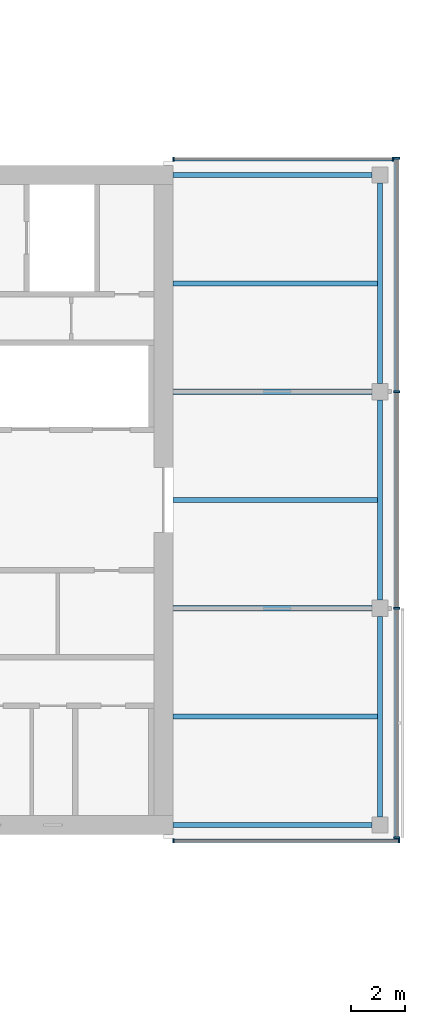
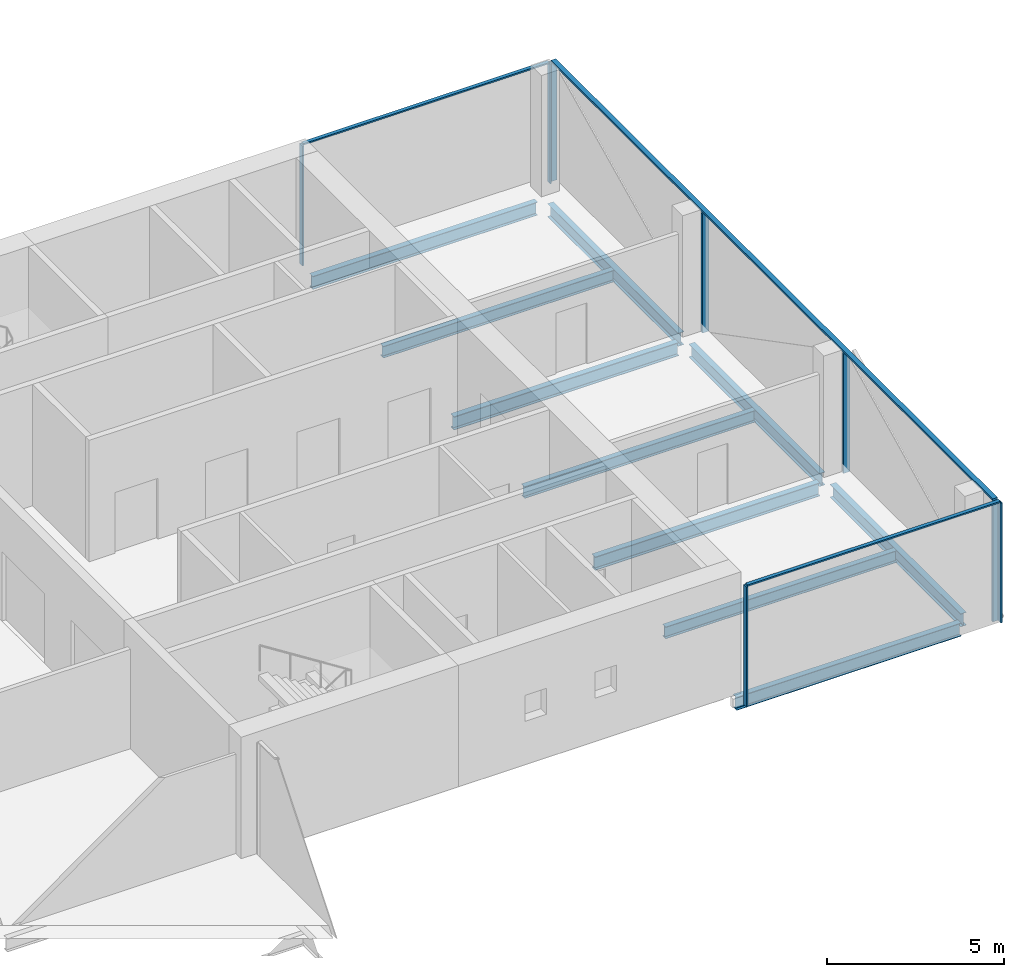
# One storey, part 11 of 22: 11 members, 10 beams, 3 elements without a shape of their own.
"""IFC4 building model written with IfcOpenShell, lengths in metres."""

from ifc_helpers import new_model, si_unit, direction, frame, origin, origin_2d, place, context, subcontext, project, spatial, rectangle, i_section, extrude, material, material_profile, profile_set, type_object, element, aggregate, save


model = new_model("IFC4")

# Units and contexts
model_context = context("Model", 3, precision=1e-05, world=origin(), true_north=direction((0.0, 1.0)))
body_context = subcontext(model_context, "Body", "Model", "MODEL_VIEW")
ifc_project = project(units=[si_unit("LENGTHUNIT", "METRE"), si_unit("AREAUNIT", "SQUARE_METRE"), si_unit("VOLUMEUNIT", "CUBIC_METRE"), si_unit("PLANEANGLEUNIT", "RADIAN"), si_unit("MASSUNIT", "GRAM", prefix="KILO")], contexts=[model_context])

# Site, building, storey
site_placement = place(None, origin())
site = spatial("IfcSite", under=ifc_project, at=site_placement, CompositionType="ELEMENT")
building_placement = place(site_placement, origin())
building = spatial("IfcBuilding", under=site, at=building_placement, Name="Crosswind Convention Tower", CompositionType="ELEMENT")
storey_placement = place(building_placement, frame((0.0, 0.0, 129.5)))
storey = spatial("IfcBuildingStorey", under=building, at=storey_placement, Name="L26", CompositionType="ELEMENT", Elevation=129.5)

# Beams
ifc_material_1 = material(Name="Steel S355", Category="steel")
ifc_material_profile_1 = material_profile(ifc_material_1, i_section(OverallWidth=0.18994140625, OverallDepth=0.45361328125, WebThickness=0.008544921875, FlangeThickness=0.0126953125, FilletRadius=0.01025390625, at=origin_2d()), Name="UB 457x191x67")
ifc_profile_set_1 = profile_set([ifc_material_profile_1], Name="Steel S355")
beam_type_1 = type_object("IfcBeamType", Name="Edge beam UB 457x191x67", PredefinedType="SPANDREL", material=ifc_profile_set_1)
for number, where, z_axis, x_axis, name in (
    (1, (153.35009765625, 88.0, -0.52685546875), (1.0, 0.0, 0.0), (0.0, 1.0, 0.0), "B16 L26 edge beam 20"),
    (2, (153.35009765625, 112.0, -0.52685546875), (1.0, 0.0, 0.0), (0.0, 1.0, 0.0), "B16 L26 edge beam 21"),
):
    element("IfcBeam", number, at=place(storey_placement, frame(where, z_axis=z_axis, x_axis=x_axis)), inside=storey, type_object=beam_type_1, Name=name, PredefinedType="SPANDREL", context=body_context, shape_type="SweptSolid", body=[
        extrude(i_section(OverallWidth=0.18994140625, OverallDepth=0.45361328125, WebThickness=0.008544921875, FlangeThickness=0.0126953125, FilletRadius=0.01025390625, at=origin_2d()), origin(), (0.0, 0.0, 1.0), 7.349853515625),
    ])
for number, where, z_axis, x_axis, name in (
    (3, (161.0, 88.300048828125, -0.52685546875), (0.0, 1.0, 0.0), (-1.0, 0.0, 0.0), "B16 L26 edge beam 22"),
    (4, (161.0, 96.300048828125, -0.52685546875), (0.0, 1.0, 0.0), (-1.0, 0.0, 0.0), "B16 L26 edge beam 23"),
    (5, (161.0, 104.300048828125, -0.52685546875), (0.0, 1.0, 0.0), (-1.0, 0.0, 0.0), "B16 L26 edge beam 24"),
):
    element("IfcBeam", number, at=place(storey_placement, frame(where, z_axis=z_axis, x_axis=x_axis)), inside=storey, type_object=beam_type_1, Name=name, PredefinedType="SPANDREL", context=body_context, shape_type="SweptSolid", body=[
        extrude(i_section(OverallWidth=0.18994140625, OverallDepth=0.45361328125, WebThickness=0.008544921875, FlangeThickness=0.0126953125, FilletRadius=0.01025390625, at=origin_2d()), origin(), (0.0, 0.0, 1.0), 7.39990234375),
    ])
ifc_material_profile_2 = material_profile(ifc_material_1, i_section(OverallWidth=0.19189453125, OverallDepth=0.463623046875, WebThickness=0.010498046875, FlangeThickness=0.017578125, FilletRadius=0.01025390625, at=origin_2d()), Name="UB 457x191x90")
ifc_profile_set_2 = profile_set([ifc_material_profile_2], Name="Steel S355")
beam_type_2 = type_object("IfcBeamType", Name="Girder at core wall UB 457x191x90", PredefinedType="BEAM", material=ifc_profile_set_2)
for number, where, z_axis, x_axis, name in (
    (6, (153.35009765625, 96.0, -0.53173828125), (1.0, 0.0, 0.0), (0.0, 1.0, 0.0), "B24 L26 girder at core wall 11"),
    (7, (153.35009765625, 104.0, -0.53173828125), (1.0, 0.0, 0.0), (0.0, 1.0, 0.0), "B24 L26 girder at core wall 12"),
):
    element("IfcBeam", number, at=place(storey_placement, frame(where, z_axis=z_axis, x_axis=x_axis)), inside=storey, type_object=beam_type_2, Name=name, PredefinedType="BEAM", context=body_context, shape_type="SweptSolid", body=[
        extrude(i_section(OverallWidth=0.19189453125, OverallDepth=0.463623046875, WebThickness=0.010498046875, FlangeThickness=0.017578125, FilletRadius=0.01025390625, at=origin_2d()), origin(), (0.0, 0.0, 1.0), 7.349853515625),
    ])

# Curtain wall, members
ifc_material_2 = material(Name="Aluminium unitised curtain wall", Category="aluminium")
curtain_wall_type_1 = type_object("IfcCurtainWallType", Name="CORE END SLOT WALL 160", PredefinedType="USERDEFINED", material=ifc_material_2)
curtain_wall_1_placement = place(storey_placement, origin())
curtain_wall_1 = element("IfcCurtainWall", 8, at=curtain_wall_1_placement, inside=storey, type_object=curtain_wall_type_1, Name="CW6 L26 E-N.1-1 slot", ObjectType="UNITISED", PredefinedType="USERDEFINED")
ifc_material_3 = material(Name="Aluminium mullion", Category="aluminium")
ifc_material_profile_3 = material_profile(ifc_material_3, rectangle(XDim=0.159912109375, YDim=0.050048828125, at=origin_2d()), Name="AL 160X50")
ifc_profile_set_3 = profile_set([ifc_material_profile_3], Name="Aluminium mullion")
member_type_1 = type_object("IfcMemberType", Name="MULLION 50X160", PredefinedType="MULLION", material=ifc_profile_set_3)
member_1_placement = place(storey_placement, frame((161.47509765625, 112.580078125, -0.300048828125), z_axis=(0.0, 0.0, 1.0), x_axis=(0.0, 1.0, 0.0)))
member_1 = element("IfcMember", 9, at=member_1_placement, type_object=member_type_1, Name="CW6 mullion 1", PredefinedType="MULLION", context=body_context, shape_type="SweptSolid", body=[
    extrude(rectangle(XDim=0.159912109375, YDim=0.050048828125, at=origin_2d()), origin(), (0.0, 0.0, 1.0), 4.150146484375),
])
member_2_placement = place(storey_placement, frame((153.375, 112.580078125, -0.300048828125), z_axis=(0.0, 0.0, 1.0), x_axis=(0.0, 1.0, 0.0)))
member_2 = element("IfcMember", 10, at=member_2_placement, type_object=member_type_1, Name="CW6 mullion 2", PredefinedType="MULLION", context=body_context, shape_type="SweptSolid", body=[
    extrude(rectangle(XDim=0.159912109375, YDim=0.050048828125, at=origin_2d()), origin(), (0.0, 0.0, 1.0), 4.150146484375),
])

curtain_wall_2_placement = place(storey_placement, origin())
curtain_wall_2 = element("IfcCurtainWall", 11, at=curtain_wall_2_placement, inside=storey, type_object=curtain_wall_type_1, Name="CW6 L26 E-S.2-1 slot", ObjectType="UNITISED", PredefinedType="USERDEFINED")
member_3_placement = place(storey_placement, frame((153.375, 87.419921875, -0.300048828125), z_axis=(0.0, 0.0, 1.0), x_axis=(0.0, -1.0, 0.0)))
member_3 = element("IfcMember", 12, at=member_3_placement, type_object=member_type_1, Name="CW6 mullion 1", PredefinedType="MULLION", context=body_context, shape_type="SweptSolid", body=[
    extrude(rectangle(XDim=0.159912109375, YDim=0.050048828125, at=origin_2d()), origin(), (0.0, 0.0, 1.0), 4.150146484375),
])
member_4_placement = place(storey_placement, frame((161.695068359375, 87.419921875, -0.300048828125), z_axis=(0.0, 0.0, 1.0), x_axis=(0.0, -1.0, 0.0)))
member_4 = element("IfcMember", 13, at=member_4_placement, type_object=member_type_1, Name="CW6 mullion 2", PredefinedType="MULLION", context=body_context, shape_type="SweptSolid", body=[
    extrude(rectangle(XDim=0.159912109375, YDim=0.050048828125, at=origin_2d()), origin(), (0.0, 0.0, 1.0), 4.150146484375),
])

curtain_wall_type_2 = type_object("IfcCurtainWallType", Name="OFFICE UNITISED WALL 220", PredefinedType="USERDEFINED", material=ifc_material_2)
curtain_wall_3_placement = place(storey_placement, origin())
curtain_wall_3 = element("IfcCurtainWall", 14, at=curtain_wall_3_placement, inside=storey, type_object=curtain_wall_type_2, Name="CW3 L26 E-TIP 1", ObjectType="UNITISED", PredefinedType="USERDEFINED")
ifc_material_profile_4 = material_profile(ifc_material_3, rectangle(XDim=0.219970703125, YDim=0.070068359375, at=origin_2d()), Name="AL 220X70")
ifc_profile_set_4 = profile_set([ifc_material_profile_4], Name="Aluminium mullion")
member_type_2 = type_object("IfcMemberType", Name="MULLION 70X220", PredefinedType="MULLION", material=ifc_profile_set_4)
member_5_placement = place(storey_placement, frame((161.610107421875, 87.534912109375, -0.300048828125), z_axis=(0.0, 0.0, 1.0), x_axis=(1.0, 0.0, 0.0)))
member_5 = element("IfcMember", 15, at=member_5_placement, type_object=member_type_2, Name="CW3 mullion 1", PredefinedType="MULLION", context=body_context, shape_type="SweptSolid", body=[
    extrude(rectangle(XDim=0.219970703125, YDim=0.070068359375, at=origin_2d()), origin(), (0.0, 0.0, 1.0), 4.130126953125),
])
member_6_placement = place(storey_placement, frame((161.610107421875, 96.0, -0.300048828125), z_axis=(0.0, 0.0, 1.0), x_axis=(1.0, 0.0, 0.0)))
member_6 = element("IfcMember", 16, at=member_6_placement, type_object=member_type_2, Name="CW3 mullion 2", PredefinedType="MULLION", context=body_context, shape_type="SweptSolid", body=[
    extrude(rectangle(XDim=0.219970703125, YDim=0.070068359375, at=origin_2d()), origin(), (0.0, 0.0, 1.0), 4.130126953125),
])
member_7_placement = place(storey_placement, frame((161.610107421875, 104.0, -0.300048828125), z_axis=(0.0, 0.0, 1.0), x_axis=(1.0, 0.0, 0.0)))
member_7 = element("IfcMember", 17, at=member_7_placement, type_object=member_type_2, Name="CW3 mullion 3", PredefinedType="MULLION", context=body_context, shape_type="SweptSolid", body=[
    extrude(rectangle(XDim=0.219970703125, YDim=0.070068359375, at=origin_2d()), origin(), (0.0, 0.0, 1.0), 4.130126953125),
])
member_8_placement = place(storey_placement, frame((161.610107421875, 112.625, -0.300048828125), z_axis=(0.0, 0.0, 1.0), x_axis=(1.0, 0.0, 0.0)))
member_8 = element("IfcMember", 18, at=member_8_placement, type_object=member_type_2, Name="CW3 mullion 4", PredefinedType="MULLION", context=body_context, shape_type="SweptSolid", body=[
    extrude(rectangle(XDim=0.219970703125, YDim=0.070068359375, at=origin_2d()), origin(), (0.0, 0.0, 1.0), 4.130126953125),
])

# Beams
ifc_material_profile_5 = material_profile(ifc_material_1, i_section(OverallWidth=0.177734375, OverallDepth=0.406494140625, WebThickness=0.0078125, FlangeThickness=0.0126953125, FilletRadius=0.01025390625, at=origin_2d()), Name="UB 406x178x60")
ifc_profile_set_5 = profile_set([ifc_material_profile_5], Name="Steel S355")
beam_type_3 = type_object("IfcBeamType", Name="Secondary beam UB 406x178x60", PredefinedType="JOIST", material=ifc_profile_set_5)
for number, where, z_axis, x_axis, name in (
    (19, (153.35009765625, 92.0, -0.503173828125), (1.0, 0.0, 0.0), (0.0, 1.0, 0.0), "B10 L26 secondary beam 25"),
    (20, (153.35009765625, 100.0, -0.503173828125), (1.0, 0.0, 0.0), (0.0, 1.0, 0.0), "B10 L26 secondary beam 26"),
    (21, (153.35009765625, 108.0, -0.503173828125), (1.0, 0.0, 0.0), (0.0, 1.0, 0.0), "B10 L26 secondary beam 27"),
):
    element("IfcBeam", number, at=place(storey_placement, frame(where, z_axis=z_axis, x_axis=x_axis)), inside=storey, type_object=beam_type_3, Name=name, PredefinedType="JOIST", context=body_context, shape_type="SweptSolid", body=[
        extrude(i_section(OverallWidth=0.177734375, OverallDepth=0.406494140625, WebThickness=0.0078125, FlangeThickness=0.0126953125, FilletRadius=0.01025390625, at=origin_2d()), origin(), (0.0, 0.0, 1.0), 7.554931640625),
    ])

# Member
ifc_material_4 = material(Name="Aluminium transom", Category="aluminium")
ifc_material_profile_6 = material_profile(ifc_material_4, rectangle(XDim=0.1201171875, YDim=0.050048828125, at=origin_2d()), Name="AL 120X50")
ifc_profile_set_6 = profile_set([ifc_material_profile_6], Name="Aluminium transom")
member_type_3 = type_object("IfcMemberType", Name="TRANSOM 50X120", PredefinedType="USERDEFINED", material=ifc_profile_set_6)
member_9_placement = place(storey_placement, frame((161.449951171875, 112.580078125, 3.875), z_axis=(-1.0, 0.0, 0.0), x_axis=(0.0, -1.0, 0.0)))
member_9 = element("IfcMember", 22, at=member_9_placement, type_object=member_type_3, Name="CW6 transom", ObjectType="TRANSOM", PredefinedType="USERDEFINED", context=body_context, shape_type="SweptSolid", body=[
    extrude(rectangle(XDim=0.1201171875, YDim=0.050048828125, at=origin_2d()), origin(), (0.0, 0.0, 1.0), 8.050048828125),
])

aggregate(curtain_wall_1, [member_1, member_2, member_9])

member_10_placement = place(storey_placement, frame((153.39990234375, 87.419921875, 3.875), z_axis=(1.0, 0.0, 0.0), x_axis=(0.0, 1.0, 0.0)))
member_10 = element("IfcMember", 23, at=member_10_placement, type_object=member_type_3, Name="CW6 transom", ObjectType="TRANSOM", PredefinedType="USERDEFINED", context=body_context, shape_type="SweptSolid", body=[
    extrude(rectangle(XDim=0.1201171875, YDim=0.050048828125, at=origin_2d()), origin(), (0.0, 0.0, 1.0), 8.27001953125),
])

aggregate(curtain_wall_2, [member_3, member_4, member_10])

ifc_material_profile_7 = material_profile(ifc_material_4, rectangle(XDim=0.159912109375, YDim=0.070068359375, at=origin_2d()), Name="AL 160X70")
ifc_profile_set_7 = profile_set([ifc_material_profile_7], Name="Aluminium transom")
member_type_4 = type_object("IfcMemberType", Name="TRANSOM 70X160", PredefinedType="USERDEFINED", material=ifc_profile_set_7)
member_11_placement = place(storey_placement, frame((161.610107421875, 87.570068359375, 3.864990234375), z_axis=(0.0, 1.0, 0.0), x_axis=(-1.0, 0.0, 0.0)))
member_11 = element("IfcMember", 24, at=member_11_placement, type_object=member_type_4, Name="CW3 transom", ObjectType="TRANSOM", PredefinedType="USERDEFINED", context=body_context, shape_type="SweptSolid", body=[
    extrude(rectangle(XDim=0.159912109375, YDim=0.070068359375, at=origin_2d()), origin(), (0.0, 0.0, 1.0), 25.02001953125),
])

aggregate(curtain_wall_3, [member_5, member_6, member_7, member_8, member_11])

save(model, "model.ifc")
